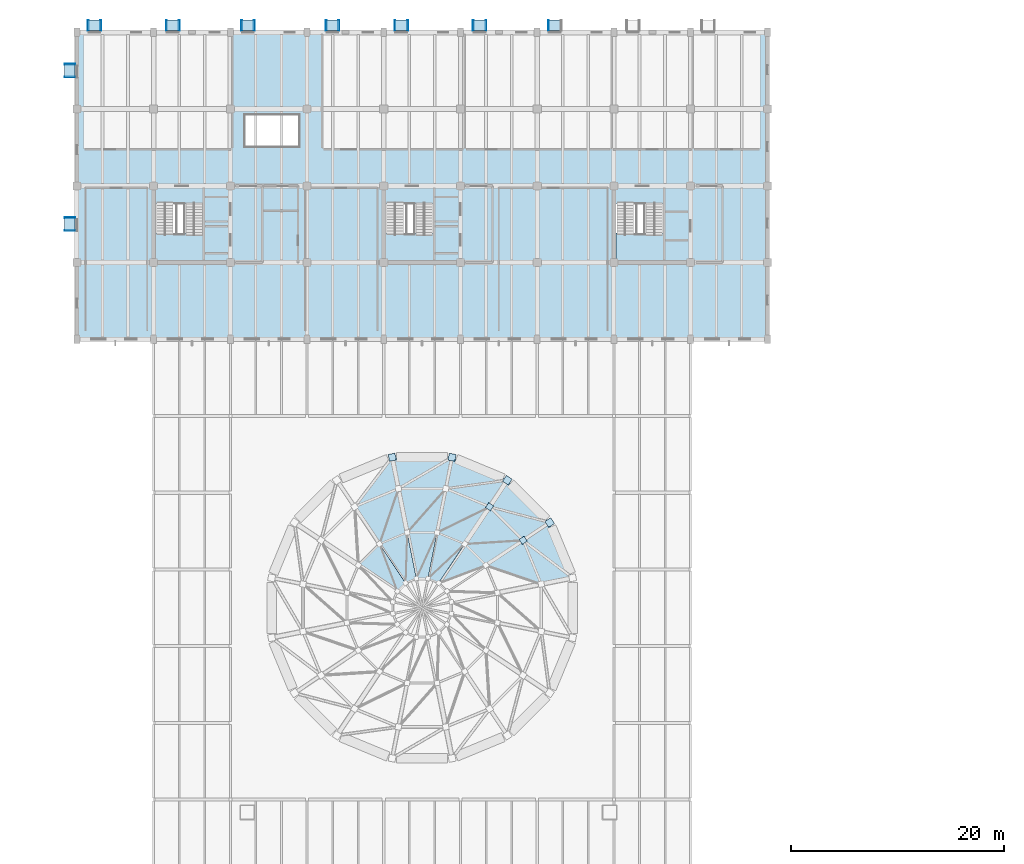
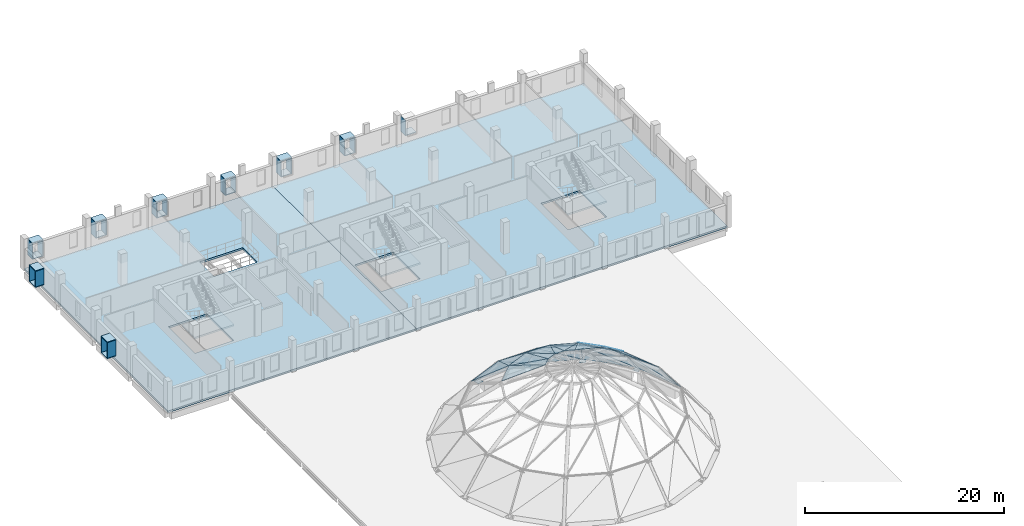
# One storey, part 16 of 32: 67 plates, 5 slabs, 3 elements without a shape of their own.
"""IFC4 building model written with IfcOpenShell, lengths in metres."""

from ifc_helpers import new_model, si_unit, direction, frame, origin, origin_2d, place, context, subcontext, project, spatial, polyline, rectangle, outline, extrude, material, layer, layer_set, type_object, element, aggregate, save


model = new_model("IFC4")

# Units and contexts
model_context = context("Model", 3, precision=1e-05, world=origin(), true_north=direction((0.0, 1.0)))
body_context = subcontext(model_context, "Body", "Model", "MODEL_VIEW")
ifc_project = project(units=[si_unit("LENGTHUNIT", "METRE"), si_unit("AREAUNIT", "SQUARE_METRE"), si_unit("VOLUMEUNIT", "CUBIC_METRE"), si_unit("PLANEANGLEUNIT", "RADIAN"), si_unit("MASSUNIT", "GRAM", prefix="KILO")], contexts=[model_context])

# Site, building, storey
site_placement = place(None, origin())
site = spatial("IfcSite", under=ifc_project, at=site_placement, CompositionType="ELEMENT")
building_placement = place(site_placement, origin())
building = spatial("IfcBuilding", under=site, at=building_placement, Name="Qiaolan Assembly House", CompositionType="ELEMENT")
storey_placement = place(building_placement, frame((0.0, 0.0, 18.60009765625)))
storey = spatial("IfcBuildingStorey", under=building, at=storey_placement, Name="L04", CompositionType="ELEMENT", Elevation=18.60009765625)

# Plates
ifc_material_1 = material(Name="Patinated standing-seam zinc")
ifc_layer_1 = layer(ifc_material_1, 0.054931640625)
ifc_layer_set_1 = layer_set([ifc_layer_1], Name="Patinated standing-seam zinc")
plate_type_1 = type_object("IfcPlateType", Name="PLT-DOME-ZINC-LOWER", PredefinedType="SHEET", material=ifc_layer_set_1)
plate_1_placement = place(storey_placement, frame((82.523193359375, 64.00927734375, 0.27978515625), z_axis=(0.730498715215, 0.302582174061, 0.612221900139), x_axis=(-0.38268310735, 0.923879667137, 0.0)))
element("IfcPlate", 1, at=plate_1_placement, inside=storey, type_object=plate_type_1, Name="DP-01 dome standing-seam cladding facet T0-1A", PredefinedType="SHEET", context=body_context, shape_type="SweptSolid", body=[
    extrude(outline(polyline([(0.0, 0.0), (5.618608303001892, 0.0), (5.033292585289696, 4.806015087104592), (0.0, 0.0)])), origin(), (0.0, 0.0, -1.0), 0.054931640625),
])
plate_2_placement = place(storey_placement, frame((82.523193359375, 64.00927734375, 0.27978515625), z_axis=(0.730506821112, 0.302627380205, 0.612189883172), x_axis=(-0.667385114398, 0.506397399408, 0.546039177124)))
element("IfcPlate", 2, at=plate_2_placement, inside=storey, type_object=plate_type_1, Name="DP-01 dome standing-seam cladding facet T0-1B", PredefinedType="SHEET", context=body_context, shape_type="SweptSolid", body=[
    extrude(outline(polyline([(0.0, 0.0), (6.959297038251005, 0.0), (3.742168759559016, 3.071675278918722), (0.0, 0.0)])), origin(), (0.0, 0.0, -1.0), 0.054931640625),
])
plate_3_placement = place(storey_placement, frame((80.373046875, 69.2001953125, 0.27978515625), z_axis=(0.559098180624, 0.559098180624, 0.612224181854), x_axis=(-0.707106781187, 0.707106781187, 0.0)))
element("IfcPlate", 3, at=plate_3_placement, inside=storey, type_object=plate_type_1, Name="DP-01 dome standing-seam cladding facet T0-2A", PredefinedType="SHEET", context=body_context, shape_type="SweptSolid", body=[
    extrude(outline(polyline([(0.0, 0.0), (5.618529614379242, 0.0), (5.033302078192134, 4.806025825748991), (0.0, 0.0)])), origin(), (0.0, 0.0, -1.0), 0.054931640625),
])
plate_4_placement = place(storey_placement, frame((80.373046875, 69.2001953125, 0.27978515625), z_axis=(0.559098180624, 0.559098180624, 0.612224181854), x_axis=(-0.810374500897, 0.212451427595, 0.546038056557)))
element("IfcPlate", 4, at=plate_4_placement, inside=storey, type_object=plate_type_1, Name="DP-01 dome standing-seam cladding facet T0-2B", PredefinedType="SHEET", context=body_context, shape_type="SweptSolid", body=[
    extrude(outline(polyline([(0.0, 0.0), (6.959311319958285, -4.440892098500626e-16), (3.7422540844211314, 3.071792615804534), (0.0, 0.0)])), origin(), (0.0, 0.0, -1.0), 0.054931640625),
])
plate_5_placement = place(storey_placement, frame((76.400146484375, 73.173095703125, 0.27978515625), z_axis=(0.302581863297, 0.730497964961, 0.612222948926), x_axis=(-0.923879667137, 0.38268310735, 0.0)))
element("IfcPlate", 5, at=plate_5_placement, inside=storey, type_object=plate_type_1, Name="DP-01 dome standing-seam cladding facet T0-3A", PredefinedType="SHEET", context=body_context, shape_type="SweptSolid", body=[
    extrude(outline(polyline([(0.0, 0.0), (5.618608303001892, 2.220446049250313e-16), (5.033267178086251, 4.806020023093471), (0.0, 0.0)])), origin(), (0.0, 0.0, -1.0), 0.054931640625),
])
plate_6_placement = place(storey_placement, frame((76.400146484375, 73.173095703125, 0.27978515625), z_axis=(0.302580890844, 0.730499362406, 0.612221762126), x_axis=(-0.829988350475, -0.113838801187, 0.546040351458)))
element("IfcPlate", 6, at=plate_6_placement, inside=storey, type_object=plate_type_1, Name="DP-01 dome standing-seam cladding facet T0-3B", PredefinedType="SHEET", context=body_context, shape_type="SweptSolid", body=[
    extrude(outline(polyline([(0.0, 0.0), (6.959282071332912, 0.0), (3.7423192311680897, 3.0717132481576748), (0.0, 0.0)])), origin(), (0.0, 0.0, -1.0), 0.054931640625),
])
plate_7_placement = place(storey_placement, frame((71.209228515625, 75.3232421875, 0.27978515625), z_axis=(0.0, 0.790682458693, 0.61222646914), x_axis=(-1.0, 0.0, 0.0)))
element("IfcPlate", 7, at=plate_7_placement, inside=storey, type_object=plate_type_1, Name="DP-01 dome standing-seam cladding facet T0-4A", PredefinedType="SHEET", context=body_context, shape_type="SweptSolid", body=[
    extrude(outline(polyline([(0.0, 0.0), (5.618408203125, 0.0), (5.033203125, 4.806036590729371), (0.0, 0.0)])), origin(), (0.0, 0.0, -1.0), 0.054931640625),
])
plate_8_placement = place(storey_placement, frame((71.209228515625, 75.3232421875, 0.27978515625), z_axis=(0.0, 0.790682458693, 0.61222646914), x_axis=(-0.723239596151, -0.422801882655, 0.546043088577)))
element("IfcPlate", 8, at=plate_8_placement, inside=storey, type_object=plate_type_1, Name="DP-01 dome standing-seam cladding facet T0-4B", PredefinedType="SHEET", context=body_context, shape_type="SweptSolid", body=[
    extrude(outline(polyline([(0.0, 0.0), (6.959247186940507, 8.881784197001252e-16), (3.7422788758368117, 3.071774977168486), (0.0, 0.0)])), origin(), (0.0, 0.0, -1.0), 0.054931640625),
])
plate_9_placement = place(storey_placement, frame((65.5908203125, 75.3232421875, 0.27978515625), z_axis=(-0.302564681242, 0.730503625839, 0.612224686126), x_axis=(-0.506423483763, -0.667373258181, 0.546029476639)))
element("IfcPlate", 9, at=plate_9_placement, inside=storey, type_object=plate_type_1, Name="DP-01 dome standing-seam cladding facet T0-5B", PredefinedType="SHEET", context=body_context, shape_type="SweptSolid", body=[
    extrude(outline(polyline([(0.0, 0.0), (6.9594206736127475, 0.0), (3.7422446828384324, 3.0718166333068058), (0.0, 0.0)])), origin(), (0.0, 0.0, -1.0), 0.054931640625),
])
ifc_layer_2 = layer(ifc_material_1, 0.0458984375)
ifc_layer_set_2 = layer_set([ifc_layer_2], Name="Patinated standing-seam zinc")
plate_type_2 = type_object("IfcPlateType", Name="PLT-DOME-ZINC-MID", PredefinedType="SHEET", material=ifc_layer_set_2)
plate_10_placement = place(storey_placement, frame((79.5810546875, 63.424072265625, 4.079833984375), z_axis=(0.566760122833, 0.234791963909, 0.789718745409), x_axis=(-0.382728281441, 0.92386095414, 0.0)))
element("IfcPlate", 10, at=plate_10_placement, inside=storey, type_object=plate_type_2, Name="DP-02 dome standing-seam cladding facet T1-1A", PredefinedType="SHEET", context=body_context, shape_type="SweptSolid", body=[
    extrude(outline(polyline([(0.0, 0.0), (4.44804489418442, 2.220446049250313e-16), (3.6290034388665227, 5.216157283745651), (0.0, 0.0)])), origin(), (0.0, 0.0, -1.0), 0.0458984375),
])
plate_11_placement = place(storey_placement, frame((77.878662109375, 67.533447265625, 4.079833984375), z_axis=(0.433794015714, 0.433794015714, 0.789712291826), x_axis=(-0.707106781187, 0.707106781187, 0.0)))
element("IfcPlate", 11, at=plate_11_placement, inside=storey, type_object=plate_type_2, Name="DP-02 dome standing-seam cladding facet T1-2A", PredefinedType="SHEET", context=body_context, shape_type="SweptSolid", body=[
    extrude(outline(polyline([(0.0, 0.0), (4.448074542005026, 0.0), (3.628583357851573, 5.216086647420347), (0.0, 0.0)])), origin(), (0.0, 0.0, -1.0), 0.0458984375),
])
plate_12_placement = place(storey_placement, frame((77.878662109375, 67.533447265625, 4.079833984375), z_axis=(0.433794015714, 0.433794015714, 0.789712291826), x_axis=(-0.862206043743, -0.054598698225, 0.503606711914)))
element("IfcPlate", 12, at=plate_12_placement, inside=storey, type_object=plate_type_2, Name="DP-02 dome standing-seam cladding facet T1-2B", PredefinedType="SHEET", context=body_context, shape_type="SweptSolid", body=[
    extrude(outline(polyline([(0.0, 0.0), (6.354067759968746, 2.220446049250313e-16), (4.749894575608144, 2.3059980995027725), (0.0, 0.0)])), origin(), (0.0, 0.0, -1.0), 0.0458984375),
])
plate_13_placement = place(storey_placement, frame((74.7333984375, 70.6787109375, 4.079833984375), z_axis=(0.234768889595, 0.566785707066, 0.789707243695), x_axis=(-0.923880360791, 0.382681432714, 0.0)))
element("IfcPlate", 13, at=plate_13_placement, inside=storey, type_object=plate_type_2, Name="DP-02 dome standing-seam cladding facet T1-3A", PredefinedType="SHEET", context=body_context, shape_type="SweptSolid", body=[
    extrude(outline(polyline([(0.0, 0.0), (4.447951460381362, 0.0), (3.628601206003813, 5.216031396573454), (0.0, 0.0)])), origin(), (0.0, 0.0, -1.0), 0.0458984375),
])
plate_14_placement = place(storey_placement, frame((74.7333984375, 70.6787109375, 4.079833984375), z_axis=(0.234787258061, 0.566762793018, 0.789718228169), x_axis=(-0.775682350122, -0.380387124341, 0.503609498863)))
element("IfcPlate", 14, at=plate_14_placement, inside=storey, type_object=plate_type_2, Name="DP-02 dome standing-seam cladding facet T1-3B", PredefinedType="SHEET", context=body_context, shape_type="SweptSolid", body=[
    extrude(outline(polyline([(0.0, 0.0), (6.35403259688305, 4.440892098500626e-16), (4.749771325265875, 2.306251953274864), (0.0, 0.0)])), origin(), (0.0, 0.0, -1.0), 0.0458984375),
])
plate_15_placement = place(storey_placement, frame((70.6240234375, 72.380859375, 4.079833984375), z_axis=(0.0, 0.613483614056, 0.789707449176), x_axis=(-1.0, 0.0, 0.0)))
element("IfcPlate", 15, at=plate_15_placement, inside=storey, type_object=plate_type_2, Name="DP-02 dome standing-seam cladding facet T1-4A", PredefinedType="SHEET", context=body_context, shape_type="SweptSolid", body=[
    extrude(outline(polyline([(0.0, 0.0), (4.447998046875, 0.0), (3.628662109375, 5.21603364549248), (0.0, 0.0)])), origin(), (0.0, 0.0, -1.0), 0.0458984375),
])
plate_16_placement = place(storey_placement, frame((70.6240234375, 72.380859375, 4.079833984375), z_axis=(0.0, 0.613483614056, 0.789707449176), x_axis=(-0.571076892907, -0.648268138136, 0.503606595931)))
element("IfcPlate", 16, at=plate_16_placement, inside=storey, type_object=plate_type_2, Name="DP-02 dome standing-seam cladding facet T1-4B", PredefinedType="SHEET", context=body_context, shape_type="SweptSolid", body=[
    extrude(outline(polyline([(0.0, 0.0), (6.354069223334241, 4.440892098500626e-16), (4.749727961938748, 2.306166224920867), (0.0, 0.0)])), origin(), (0.0, 0.0, -1.0), 0.0458984375),
])
plate_17_placement = place(storey_placement, frame((66.176025390625, 72.380859375, 4.079833984375), z_axis=(-0.234750086864, 0.566773983389, 0.789721247321), x_axis=(-0.923888398306, -0.382662027742, 0.0)))
element("IfcPlate", 17, at=plate_17_placement, inside=storey, type_object=plate_type_2, Name="DP-02 dome standing-seam cladding facet T1-5A", PredefinedType="SHEET", context=body_context, shape_type="SweptSolid", body=[
    extrude(outline(polyline([(0.0, 0.0), (4.448177018091238, 0.0), (3.628614599590414, 5.216184668823375), (0.0, 0.0)])), origin(), (0.0, 0.0, -1.0), 0.0458984375),
])
plate_18_placement = place(storey_placement, frame((66.176025390625, 72.380859375, 4.079833984375), z_axis=(-0.234793891892, 0.5667788067, 0.789704762938), x_axis=(-0.279521030462, -0.817469339396, 0.503598920449)))
element("IfcPlate", 18, at=plate_18_placement, inside=storey, type_object=plate_type_2, Name="DP-02 dome standing-seam cladding facet T1-5B", PredefinedType="SHEET", context=body_context, shape_type="SweptSolid", body=[
    extrude(outline(polyline([(0.0, 0.0), (6.3541660673631055, -2.220446049250313e-16), (4.7497414956980775, 2.306138350887121), (0.0, 0.0)])), origin(), (0.0, 0.0, -1.0), 0.0458984375),
])
plate_19_placement = place(storey_placement, frame((74.386474609375, 65.2001953125, 7.27978515625), z_axis=(0.321175309258, 0.321175309258, 0.890894405329), x_axis=(-0.707106781187, 0.707106781187, 0.0)))
element("IfcPlate", 19, at=plate_19_placement, inside=storey, type_object=plate_type_2, Name="DP-02 dome standing-seam cladding facet T2-2A", PredefinedType="SHEET", context=body_context, shape_type="SweptSolid", body=[
    extrude(outline(polyline([(0.0, 0.0), (2.8090921736981205, 0.0), (1.9507584539570282, 4.843999462471797), (0.0, 0.0)])), origin(), (0.0, 0.0, -1.0), 0.0458984375),
])
plate_20_placement = place(storey_placement, frame((72.400146484375, 67.1865234375, 7.27978515625), z_axis=(0.173838533294, 0.419636114317, 0.890890395), x_axis=(-0.923864304003, 0.382720195168, 0.0)))
element("IfcPlate", 20, at=plate_20_placement, inside=storey, type_object=plate_type_2, Name="DP-02 dome standing-seam cladding facet T2-3A", PredefinedType="SHEET", context=body_context, shape_type="SweptSolid", body=[
    extrude(outline(polyline([(0.0, 0.0), (2.809350868011128, -1.1102230246251565e-16), (1.9507924507963836, 4.8439155775710505), (0.0, 0.0)])), origin(), (0.0, 0.0, -1.0), 0.0458984375),
])
plate_21_placement = place(storey_placement, frame((72.400146484375, 67.1865234375, 7.27978515625), z_axis=(0.173871606307, 0.419606083171, 0.890898085915), x_axis=(-0.661407216565, -0.620498803863, 0.421333274594)))
element("IfcPlate", 21, at=plate_21_placement, inside=storey, type_object=plate_type_2, Name="DP-02 dome standing-seam cladding facet T2-3B", PredefinedType="SHEET", context=body_context, shape_type="SweptSolid", body=[
    extrude(outline(polyline([(0.0, 0.0), (5.221983273500562, 0.0), (4.813940553221681, 1.0134317524724519), (0.0, 0.0)])), origin(), (0.0, 0.0, -1.0), 0.0458984375),
])
plate_22_placement = place(storey_placement, frame((69.8046875, 68.26171875, 7.27978515625), z_axis=(0.0, 0.454215685423, 0.890891750504), x_axis=(-1.0, 0.0, 0.0)))
element("IfcPlate", 22, at=plate_22_placement, inside=storey, type_object=plate_type_2, Name="DP-02 dome standing-seam cladding facet T2-4A", PredefinedType="SHEET", context=body_context, shape_type="SweptSolid", body=[
    extrude(outline(polyline([(0.0, 0.0), (2.809326171875, 0.0), (1.950927734375, 4.843943930404576), (0.0, 0.0)])), origin(), (0.0, 0.0, -1.0), 0.0458984375),
])
plate_23_placement = place(storey_placement, frame((69.8046875, 68.26171875, 7.27978515625), z_axis=(0.0, 0.454215685423, 0.890891750504), x_axis=(-0.373593503731, -0.826384529088, 0.421327074912)))
element("IfcPlate", 23, at=plate_23_placement, inside=storey, type_object=plate_type_2, Name="DP-02 dome standing-seam cladding facet T2-4B", PredefinedType="SHEET", context=body_context, shape_type="SweptSolid", body=[
    extrude(outline(polyline([(0.0, 0.0), (5.222060113179174, 2.7755575615628914e-16), (4.8138982652311935, 1.013422010028335), (0.0, 0.0)])), origin(), (0.0, 0.0, -1.0), 0.0458984375),
])
plate_24_placement = place(storey_placement, frame((66.995361328125, 68.26171875, 7.27978515625), z_axis=(-0.173835299697, 0.4196283086, 0.890894702645), x_axis=(-0.923864304003, -0.382720195168, 0.0)))
element("IfcPlate", 24, at=plate_24_placement, inside=storey, type_object=plate_type_2, Name="DP-02 dome standing-seam cladding facet T2-5A", PredefinedType="SHEET", context=body_context, shape_type="SweptSolid", body=[
    extrude(outline(polyline([(0.0, 0.0), (2.809350868011128, 1.1102230246251565e-16), (1.9510522470659009, 4.844005681680728), (0.0, 0.0)])), origin(), (0.0, 0.0, -1.0), 0.0458984375),
])
plate_25_placement = place(storey_placement, frame((66.995361328125, 68.26171875, 7.27978515625), z_axis=(-0.173879923371, 0.419626154824, 0.890887008793), x_axis=(-0.028892028059, -0.906452317212, 0.421318700434)))
element("IfcPlate", 25, at=plate_25_placement, inside=storey, type_object=plate_type_2, Name="DP-02 dome standing-seam cladding facet T2-5B", PredefinedType="SHEET", context=body_context, shape_type="SweptSolid", body=[
    extrude(outline(polyline([(0.0, 0.0), (5.222163911151781, 5.551115123125783e-17), (4.813913798021777, 1.0133482242651404), (0.0, 0.0)])), origin(), (0.0, 0.0, -1.0), 0.0458984375),
])
plate_26_placement = place(storey_placement, frame((64.39990234375, 67.1865234375, 7.27978515625), z_axis=(-0.321158687948, 0.32119816173, 0.890892158489), x_axis=(-0.707150232612, -0.70706332709, 0.0)))
element("IfcPlate", 26, at=plate_26_placement, inside=storey, type_object=plate_type_2, Name="DP-02 dome standing-seam cladding facet T2-6A", PredefinedType="SHEET", context=body_context, shape_type="SweptSolid", body=[
    extrude(outline(polyline([(0.0, 0.0), (2.8092648124939132, 0.0), (1.9506659009848961, 4.843952464261719), (0.0, 0.0)])), origin(), (0.0, 0.0, -1.0), 0.0458984375),
])
plate_27_placement = place(storey_placement, frame((64.39990234375, 67.1865234375, 7.27978515625), z_axis=(-0.321116552283, 0.321218042976, 0.890900178873), x_axis=(0.320161726504, -0.848512729895, 0.421334328162)))
element("IfcPlate", 27, at=plate_27_placement, inside=storey, type_object=plate_type_2, Name="DP-02 dome standing-seam cladding facet T2-6B", PredefinedType="SHEET", context=body_context, shape_type="SweptSolid", body=[
    extrude(outline(polyline([(0.0, 0.0), (5.221970215665002, -1.1102230246251565e-16), (4.813917868740464, 1.0135395009040926), (0.0, 0.0)])), origin(), (0.0, 0.0, -1.0), 0.0458984375),
])
ifc_material_2 = material(Name="Steel Q355B", Category="steel")
ifc_layer_3 = layer(ifc_material_2, 0.0380859375)
ifc_layer_set_3 = layer_set([ifc_layer_3], Name="Steel Q355B")
plate_type_3 = type_object("IfcPlateType", Name="PLT-NODE-DN1-BASE", PredefinedType="SHEET", material=ifc_layer_set_3)
for number, where, z_axis, x_axis, name in (
    (28, (80.373046875, 69.2001953125, -0.01904296875), (0.0, 0.0, 1.0), (0.831469612303, 0.55557023302, 0.0), "DN1 dome steel node and end-cap assembly T0-2"),
    (29, (76.400146484375, 73.173095703125, -0.01904296875), (0.0, 0.0, 1.0), (0.55557023302, 0.831469612303, 0.0), "DN1 dome steel node and end-cap assembly T0-3"),
    (30, (71.209228515625, 75.3232421875, -0.01904296875), (0.0, 0.0, 1.0), (0.195090322016, 0.980785280403, 0.0), "DN1 dome steel node and end-cap assembly T0-4"),
    (31, (65.5908203125, 75.3232421875, -0.01904296875), (0.0, 0.0, 1.0), (-0.195090322016, 0.980785280403, 0.0), "DN1 dome steel node and end-cap assembly T0-5"),
):
    element("IfcPlate", number, at=place(storey_placement, frame(where, z_axis=z_axis, x_axis=x_axis)), inside=storey, type_object=plate_type_3, Name=name, PredefinedType="SHEET", context=body_context, shape_type="SweptSolid", body=[
        extrude(rectangle(XDim=0.64990234375, YDim=0.64990234375, at=origin_2d()), origin(), (0.0, 0.0, 1.0), 0.0380859375),
    ])
ifc_layer_4 = layer(ifc_material_2, 0.034912109375)
ifc_layer_set_4 = layer_set([ifc_layer_4], Name="Steel Q355B")
plate_type_4 = type_object("IfcPlateType", Name="PLT-NODE-DN2-RING", PredefinedType="SHEET", material=ifc_layer_set_4)
for number, where, z_axis, x_axis, name in (
    (32, (77.878662109375, 67.533447265625, 3.7822265625), (0.0, 0.0, 1.0), (0.831469612303, 0.55557023302, 0.0), "DN2 dome steel node and end-cap assembly T1-2"),
    (33, (74.7333984375, 70.6787109375, 3.7822265625), (0.0, 0.0, 1.0), (0.55557023302, 0.831469612303, 0.0), "DN2 dome steel node and end-cap assembly T1-3"),
):
    element("IfcPlate", number, at=place(storey_placement, frame(where, z_axis=z_axis, x_axis=x_axis)), inside=storey, type_object=plate_type_4, Name=name, PredefinedType="SHEET", context=body_context, shape_type="SweptSolid", body=[
        extrude(rectangle(XDim=0.56005859375, YDim=0.56005859375, at=origin_2d()), origin(), (0.0, 0.0, 1.0), 0.034912109375),
    ])
ifc_material_3 = material(Name="Honed pale limestone", Category="masonry")
ifc_layer_5 = layer(ifc_material_3, 0.0849609375)
ifc_layer_set_5 = layer_set([ifc_layer_5], Name="Honed pale limestone")
plate_type_5 = type_object("IfcPlateType", Name="PLT-WINBOX-CHEEK", PredefinedType="SHEET", material=ifc_layer_set_5)
for number, where, z_axis, x_axis, name in (
    (34, (37.0576171875, 115.860107421875, 0.69970703125), (0.0, 0.0, 1.0), (1.0, 0.0, 0.0), "WB-02 projecting window-box left cheek NWN-L04-00-2"),
    (35, (38.242431640625, 115.860107421875, 0.69970703125), (0.0, 0.0, 1.0), (1.0, 0.0, 0.0), "WB-02 projecting window-box right cheek NWN-L04-00-2"),
    (36, (44.407470703125, 115.860107421875, 0.69970703125), (0.0, 0.0, 1.0), (1.0, 0.0, 0.0), "WB-02 projecting window-box left cheek NWN-L04-01-2"),
    (37, (45.592529296875, 115.860107421875, 0.69970703125), (0.0, 0.0, 1.0), (1.0, 0.0, 0.0), "WB-02 projecting window-box right cheek NWN-L04-01-2"),
    (38, (51.45751953125, 115.860107421875, 0.69970703125), (0.0, 0.0, 1.0), (1.0, 0.0, 0.0), "WB-02 projecting window-box left cheek NWN-L04-02-2"),
    (39, (52.642578125, 115.860107421875, 0.69970703125), (0.0, 0.0, 1.0), (1.0, 0.0, 0.0), "WB-02 projecting window-box right cheek NWN-L04-02-2"),
    (40, (59.39990234375, 115.860107421875, 0.69970703125), (0.0, 0.0, 1.0), (1.0, 0.0, 0.0), "WB-02 projecting window-box left cheek NWN-L04-03-2"),
    (41, (60.5849609375, 115.860107421875, 0.69970703125), (0.0, 0.0, 1.0), (1.0, 0.0, 0.0), "WB-02 projecting window-box right cheek NWN-L04-03-2"),
    (42, (65.857421875, 115.860107421875, 0.69970703125), (0.0, 0.0, 1.0), (1.0, 0.0, 0.0), "WB-02 projecting window-box left cheek NWN-L04-04-2"),
    (43, (67.04248046875, 115.860107421875, 0.69970703125), (0.0, 0.0, 1.0), (1.0, 0.0, 0.0), "WB-02 projecting window-box right cheek NWN-L04-04-2"),
    (44, (73.20751953125, 115.860107421875, 0.69970703125), (0.0, 0.0, 1.0), (1.0, 0.0, 0.0), "WB-02 projecting window-box left cheek NWN-L04-05-2"),
    (45, (74.392578125, 115.860107421875, 0.69970703125), (0.0, 0.0, 1.0), (1.0, 0.0, 0.0), "WB-02 projecting window-box right cheek NWN-L04-05-2"),
    (46, (80.257568359375, 115.860107421875, 0.69970703125), (0.0, 0.0, 1.0), (1.0, 0.0, 0.0), "WB-02 projecting window-box left cheek NWN-L04-06-2"),
):
    element("IfcPlate", number, at=place(storey_placement, frame(where, z_axis=z_axis, x_axis=x_axis)), inside=storey, type_object=plate_type_5, Name=name, PredefinedType="SHEET", context=body_context, shape_type="SweptSolid", body=[
        extrude(rectangle(XDim=0.0849609375, YDim=1.0, at=origin_2d()), origin(), (0.0, 0.0, 1.0), 1.840087890625),
    ])
for number, where, z_axis, x_axis, name in (
    (47, (35.340087890625, 96.607421875, 0.7001953125), (0.0, 0.0, 1.0), (1.0, 0.0, 0.0), "WB-02 projecting window-box left cheek NWW-L04-01"),
    (48, (35.340087890625, 97.79248046875, 0.7001953125), (0.0, 0.0, 1.0), (1.0, 0.0, 0.0), "WB-02 projecting window-box right cheek NWW-L04-01"),
    (49, (35.340087890625, 111.007568359375, 0.7001953125), (0.0, 0.0, 1.0), (1.0, 0.0, 0.0), "WB-02 projecting window-box left cheek NWW-L04-03"),
    (50, (35.340087890625, 112.1923828125, 0.7001953125), (0.0, 0.0, 1.0), (1.0, 0.0, 0.0), "WB-02 projecting window-box right cheek NWW-L04-03"),
):
    element("IfcPlate", number, at=place(storey_placement, frame(where, z_axis=z_axis, x_axis=x_axis)), inside=storey, type_object=plate_type_5, Name=name, PredefinedType="SHEET", context=body_context, shape_type="SweptSolid", body=[
        extrude(rectangle(XDim=1.0, YDim=0.0849609375, at=origin_2d()), origin(), (0.0, 0.0, 1.0), 1.889892578125),
    ])
ifc_layer_6 = layer(ifc_material_3, 0.080078125)
ifc_layer_set_6 = layer_set([ifc_layer_6], Name="Honed pale limestone")
plate_type_6 = type_object("IfcPlateType", Name="PLT-WINBOX-SURROUND", PredefinedType="SHEET", material=ifc_layer_set_6)
for number, where, name in (
    (51, (0.0, 0.0, 0.619873046875), "WB-01 projecting limestone window-box sill NWN-L04-00-2"),
    (52, (0.0, 0.0, 2.539794921875), "WB-01 projecting limestone window-box hood NWN-L04-00-2"),
):
    element("IfcPlate", number, at=place(storey_placement, frame(where)), inside=storey, type_object=plate_type_6, Name=name, PredefinedType="SHEET", context=body_context, shape_type="SweptSolid", body=[
        extrude(outline(polyline([(37.014892578125, 115.360107421875), (37.014892578125, 116.360107421875), (38.284912109375, 116.360107421875), (38.284912109375, 115.360107421875), (37.014892578125, 115.360107421875)])), origin(), (0.0, 0.0, 1.0), 0.080078125),
    ])
for number, where, name in (
    (53, (0.0, 0.0, 0.619873046875), "WB-01 projecting limestone window-box sill NWN-L04-01-2"),
    (54, (0.0, 0.0, 2.539794921875), "WB-01 projecting limestone window-box hood NWN-L04-01-2"),
):
    element("IfcPlate", number, at=place(storey_placement, frame(where)), inside=storey, type_object=plate_type_6, Name=name, PredefinedType="SHEET", context=body_context, shape_type="SweptSolid", body=[
        extrude(outline(polyline([(44.364990234375, 115.360107421875), (44.364990234375, 116.360107421875), (45.635009765625, 116.360107421875), (45.635009765625, 115.360107421875), (44.364990234375, 115.360107421875)])), origin(), (0.0, 0.0, 1.0), 0.080078125),
    ])
for number, where, name in (
    (55, (0.0, 0.0, 0.619873046875), "WB-01 projecting limestone window-box sill NWN-L04-02-2"),
    (56, (0.0, 0.0, 2.539794921875), "WB-01 projecting limestone window-box hood NWN-L04-02-2"),
):
    element("IfcPlate", number, at=place(storey_placement, frame(where)), inside=storey, type_object=plate_type_6, Name=name, PredefinedType="SHEET", context=body_context, shape_type="SweptSolid", body=[
        extrude(outline(polyline([(51.4150390625, 115.360107421875), (51.4150390625, 116.360107421875), (52.68505859375, 116.360107421875), (52.68505859375, 115.360107421875), (51.4150390625, 115.360107421875)])), origin(), (0.0, 0.0, 1.0), 0.080078125),
    ])
for number, where, name in (
    (57, (0.0, 0.0, 0.619873046875), "WB-01 projecting limestone window-box sill NWN-L04-03-2"),
    (58, (0.0, 0.0, 2.539794921875), "WB-01 projecting limestone window-box hood NWN-L04-03-2"),
):
    element("IfcPlate", number, at=place(storey_placement, frame(where)), inside=storey, type_object=plate_type_6, Name=name, PredefinedType="SHEET", context=body_context, shape_type="SweptSolid", body=[
        extrude(outline(polyline([(59.357421875, 115.360107421875), (59.357421875, 116.360107421875), (60.62744140625, 116.360107421875), (60.62744140625, 115.360107421875), (59.357421875, 115.360107421875)])), origin(), (0.0, 0.0, 1.0), 0.080078125),
    ])
for number, where, name in (
    (59, (0.0, 0.0, 0.619873046875), "WB-01 projecting limestone window-box sill NWN-L04-04-2"),
    (60, (0.0, 0.0, 2.539794921875), "WB-01 projecting limestone window-box hood NWN-L04-04-2"),
):
    element("IfcPlate", number, at=place(storey_placement, frame(where)), inside=storey, type_object=plate_type_6, Name=name, PredefinedType="SHEET", context=body_context, shape_type="SweptSolid", body=[
        extrude(outline(polyline([(65.81494140625, 115.360107421875), (65.81494140625, 116.360107421875), (67.0849609375, 116.360107421875), (67.0849609375, 115.360107421875), (65.81494140625, 115.360107421875)])), origin(), (0.0, 0.0, 1.0), 0.080078125),
    ])
for number, where, name in (
    (61, (0.0, 0.0, 0.619873046875), "WB-01 projecting limestone window-box sill NWN-L04-05-2"),
    (62, (0.0, 0.0, 2.539794921875), "WB-01 projecting limestone window-box hood NWN-L04-05-2"),
):
    element("IfcPlate", number, at=place(storey_placement, frame(where)), inside=storey, type_object=plate_type_6, Name=name, PredefinedType="SHEET", context=body_context, shape_type="SweptSolid", body=[
        extrude(outline(polyline([(73.1650390625, 115.360107421875), (73.1650390625, 116.360107421875), (74.43505859375, 116.360107421875), (74.43505859375, 115.360107421875), (73.1650390625, 115.360107421875)])), origin(), (0.0, 0.0, 1.0), 0.080078125),
    ])
plate_28_placement = place(storey_placement, frame((0.0, 0.0, 0.619873046875)))
element("IfcPlate", 63, at=plate_28_placement, inside=storey, type_object=plate_type_6, Name="WB-01 projecting limestone window-box sill NWN-L04-06-2", PredefinedType="SHEET", context=body_context, shape_type="SweptSolid", body=[
    extrude(outline(polyline([(80.215087890625, 115.360107421875), (80.215087890625, 116.360107421875), (81.485107421875, 116.360107421875), (81.485107421875, 115.360107421875), (80.215087890625, 115.360107421875)])), origin(), (0.0, 0.0, 1.0), 0.080078125),
])
for number, where, name in (
    (64, (0.0, 0.0, 0.619873046875), "WB-01 projecting limestone window-box sill NWW-L04-01"),
    (65, (0.0, 0.0, 2.58984375), "WB-01 projecting limestone window-box hood NWW-L04-01"),
):
    element("IfcPlate", number, at=place(storey_placement, frame(where)), inside=storey, type_object=plate_type_6, Name=name, PredefinedType="SHEET", context=body_context, shape_type="SweptSolid", body=[
        extrude(outline(polyline([(34.840087890625, 96.56494140625), (34.840087890625, 97.8349609375), (35.840087890625, 97.8349609375), (35.840087890625, 96.56494140625), (34.840087890625, 96.56494140625)])), origin(), (0.0, 0.0, 1.0), 0.080078125),
    ])
for number, where, name in (
    (66, (0.0, 0.0, 0.619873046875), "WB-01 projecting limestone window-box sill NWW-L04-03"),
    (67, (0.0, 0.0, 2.58984375), "WB-01 projecting limestone window-box hood NWW-L04-03"),
):
    element("IfcPlate", number, at=place(storey_placement, frame(where)), inside=storey, type_object=plate_type_6, Name=name, PredefinedType="SHEET", context=body_context, shape_type="SweptSolid", body=[
        extrude(outline(polyline([(34.840087890625, 110.965087890625), (34.840087890625, 112.235107421875), (35.840087890625, 112.235107421875), (35.840087890625, 110.965087890625), (34.840087890625, 110.965087890625)])), origin(), (0.0, 0.0, 1.0), 0.080078125),
    ])

# Stair, slab
ifc_material_4 = material(Name="Concrete C40/50", Category="concrete")
stair_type = type_object("IfcStairType", Name="STR-UPPER-390", PredefinedType="HALF_TURN_STAIR", material=ifc_material_4)
stair_1_placement = place(storey_placement, origin())
stair_1 = element("IfcStair", 68, at=stair_1_placement, inside=storey, type_object=stair_type, Name="ST-08 enclosed egress stair CORE-A L04", PredefinedType="HALF_TURN_STAIR")
ifc_layer_7 = layer(ifc_material_4, 0.199951171875)
ifc_layer_set_7 = layer_set([ifc_layer_7], Name="Concrete C40/50")
slab_type_1 = type_object("IfcSlabType", Name="SLB-LANDING-200", PredefinedType="LANDING", material=ifc_layer_set_7)
slab_1_placement = place(storey_placement, frame((0.0, 0.0, 1.75)))
slab_1 = element("IfcSlab", 69, at=slab_1_placement, type_object=slab_type_1, Name="Stair landing LND-CORE-A-L04-HL", PredefinedType="LANDING", context=body_context, shape_type="SweptSolid", body=[
    extrude(outline(polyline([(43.3798828125, 93.780029296875), (43.3798828125, 96.375), (47.919921875, 96.375), (47.919921875, 93.780029296875), (43.3798828125, 93.780029296875)])), origin(), (0.0, 0.0, 1.0), 0.199951171875),
])
aggregate(stair_1, [slab_1])

stair_2_placement = place(storey_placement, origin())
stair_2 = element("IfcStair", 70, at=stair_2_placement, inside=storey, type_object=stair_type, Name="ST-08 enclosed egress stair CORE-B L04", PredefinedType="HALF_TURN_STAIR")
slab_2_placement = place(storey_placement, frame((0.0, 0.0, 1.75)))
slab_2 = element("IfcSlab", 71, at=slab_2_placement, type_object=slab_type_1, Name="Stair landing LND-CORE-B-L04-HL", PredefinedType="LANDING", context=body_context, shape_type="SweptSolid", body=[
    extrude(outline(polyline([(64.97998046875, 93.780029296875), (64.97998046875, 96.375), (69.52001953125, 96.375), (69.52001953125, 93.780029296875), (64.97998046875, 93.780029296875)])), origin(), (0.0, 0.0, 1.0), 0.199951171875),
])
aggregate(stair_2, [slab_2])

stair_3_placement = place(storey_placement, origin())
stair_3 = element("IfcStair", 72, at=stair_3_placement, inside=storey, type_object=stair_type, Name="ST-08 enclosed egress stair CORE-G L04", PredefinedType="HALF_TURN_STAIR")
slab_3_placement = place(storey_placement, frame((0.0, 0.0, 1.75)))
slab_3 = element("IfcSlab", 73, at=slab_3_placement, type_object=slab_type_1, Name="Stair landing LND-CORE-G-L04-HL", PredefinedType="LANDING", context=body_context, shape_type="SweptSolid", body=[
    extrude(outline(polyline([(86.580078125, 93.780029296875), (86.580078125, 96.375), (91.1201171875, 96.375), (91.1201171875, 93.780029296875), (86.580078125, 93.780029296875)])), origin(), (0.0, 0.0, 1.0), 0.199951171875),
])
aggregate(stair_3, [slab_3])

# Slabs
ifc_layer_8 = layer(ifc_material_4, 0.22998046875)
ifc_layer_set_8 = layer_set([ifc_layer_8], Name="Concrete C40/50")
slab_type_2 = type_object("IfcSlabType", Name="SLB-NW-FLOOR-230", PredefinedType="FLOOR", material=ifc_layer_set_8)
slab_4_placement = place(storey_placement, frame((0.0, 0.0, -0.22998046875)))
element("IfcSlab", 74, at=slab_4_placement, inside=storey, type_object=slab_type_2, Name="FS-06 North-West Wing West Plate L04", PredefinedType="FLOOR", context=body_context, shape_type="SweptSolid", body=[
    extrude(outline(polyline([(36.0, 86.39990234375), (64.800048828125, 86.39990234375), (64.800048828125, 115.199951171875), (36.0, 115.199951171875), (36.0, 86.39990234375)]), holes=[polyline([(43.39990234375, 93.800048828125), (43.39990234375, 99.14990234375), (47.8798828125, 99.14990234375), (47.8798828125, 93.800048828125), (43.39990234375, 93.800048828125)]), polyline([(51.800048828125, 104.5), (51.800048828125, 107.39990234375), (56.800048828125, 107.39990234375), (56.800048828125, 104.5), (51.800048828125, 104.5)])]), origin(), (0.0, 0.0, 1.0), 0.22998046875),
])
slab_5_placement = place(storey_placement, frame((0.0, 0.0, -0.22998046875)))
element("IfcSlab", 75, at=slab_5_placement, inside=storey, type_object=slab_type_2, Name="FS-06 North-West Wing East Plate L04", PredefinedType="FLOOR", context=body_context, shape_type="SweptSolid", body=[
    extrude(outline(polyline([(64.800048828125, 86.39990234375), (100.800048828125, 86.39990234375), (100.800048828125, 115.199951171875), (64.800048828125, 115.199951171875), (64.800048828125, 86.39990234375)]), holes=[polyline([(65.0, 93.800048828125), (65.0, 99.14990234375), (69.47998046875, 99.14990234375), (69.47998046875, 93.800048828125), (65.0, 93.800048828125)]), polyline([(86.60009765625, 93.800048828125), (86.60009765625, 99.14990234375), (91.080078125, 99.14990234375), (91.080078125, 93.800048828125), (86.60009765625, 93.800048828125)])]), origin(), (0.0, 0.0, 1.0), 0.22998046875),
])

save(model, "model.ifc")
